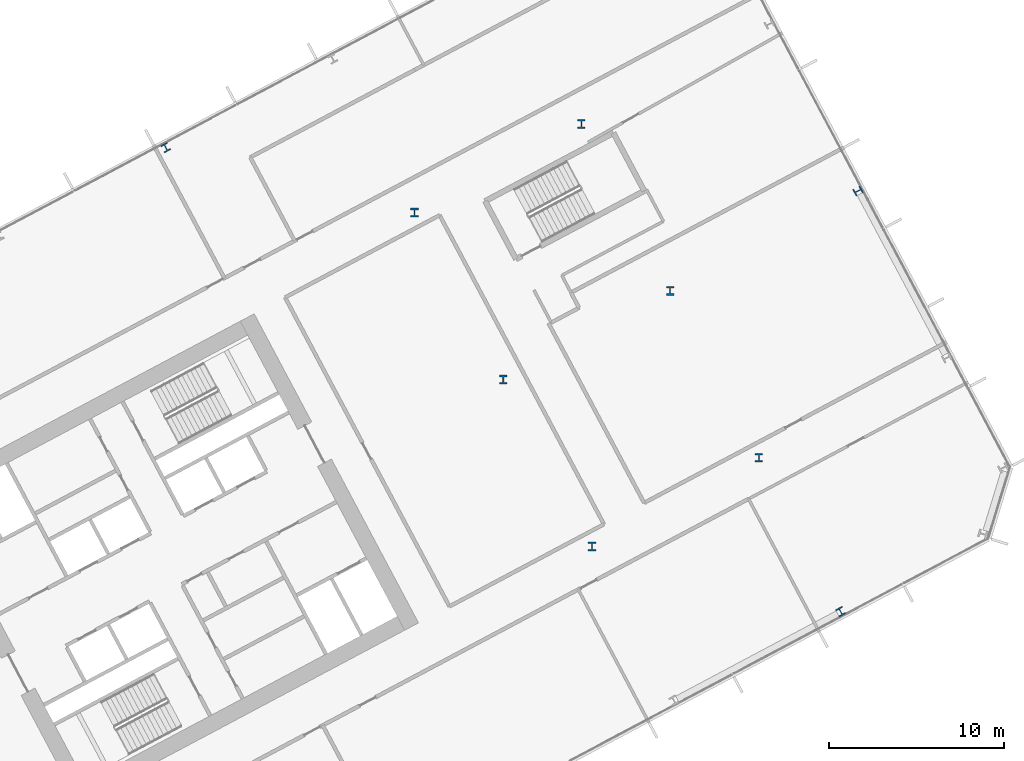
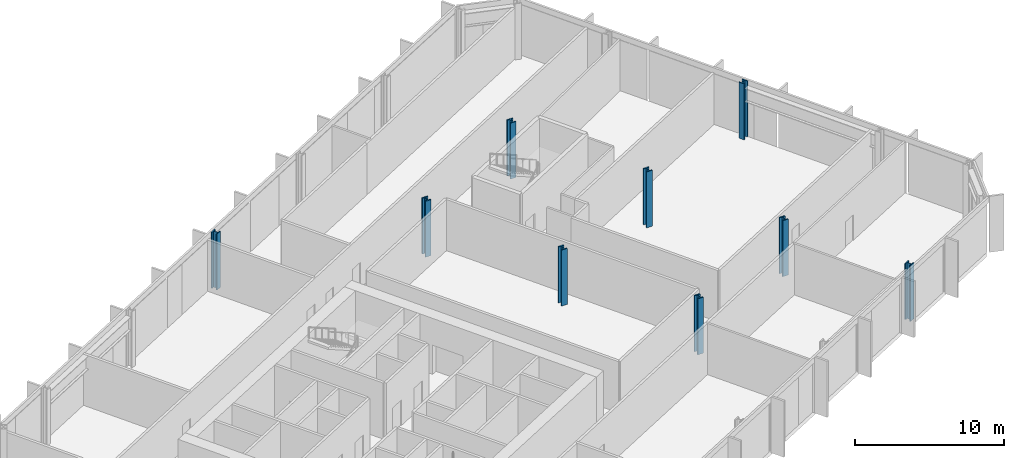
# One storey, part 4 of 31: 9 columns.
"""IFC4 building model written with IfcOpenShell, lengths in metres."""

from ifc_helpers import new_model, si_unit, direction, frame, origin, origin_2d, place, context, subcontext, project, spatial, i_section, extrude, material, material_profile, profile_set, type_object, element, save


model = new_model("IFC4")

# Units and contexts
model_context = context("Model", 3, precision=1e-05, world=origin(), true_north=direction((0.0, 1.0)))
body_context = subcontext(model_context, "Body", "Model", "MODEL_VIEW")
ifc_project = project(units=[si_unit("LENGTHUNIT", "METRE"), si_unit("AREAUNIT", "SQUARE_METRE"), si_unit("VOLUMEUNIT", "CUBIC_METRE"), si_unit("PLANEANGLEUNIT", "RADIAN"), si_unit("MASSUNIT", "GRAM", prefix="KILO")], contexts=[model_context])

# Site, building, storey
site_placement = place(None, origin())
site = spatial("IfcSite", under=ifc_project, at=site_placement, CompositionType="ELEMENT")
building_placement = place(site_placement, origin())
building = spatial("IfcBuilding", under=site, at=building_placement, Name="Cormorant Relay Tower", CompositionType="ELEMENT")
storey_placement = place(building_placement, frame((0.0, 0.0, 103.0)))
storey = spatial("IfcBuildingStorey", under=building, at=storey_placement, Name="L20", CompositionType="ELEMENT", Elevation=103.0)

# Columns
ifc_material_1 = material(Name="Steel ASTM A992 (Fy 345 MPa)", Category="steel")
ifc_material_profile_1 = material_profile(ifc_material_1, i_section(OverallWidth=0.42431640625, OverallDepth=0.47509765625, WebThickness=0.0478515625, FlangeThickness=0.0771484375, FilletRadius=0.014892578125, at=origin_2d()), Name="W360x634")
ifc_profile_set_1 = profile_set([ifc_material_profile_1], Name="Steel ASTM A992 (Fy 345 MPa)")
column_type_1 = type_object("IfcColumnType", Name="Column W360x634", PredefinedType="COLUMN", material=ifc_profile_set_1)
for number, where, z_axis, x_axis, name in (
    (1, (62.3701171875, 9.65087890625, 0.0), (0.0, 0.0, 1.0), (0.882947592859, 0.469471562786, 0.0), "Column L20-020"),
    (2, (63.360107421875, 33.68896484375, 0.0), (0.0, 0.0, 1.0), (-0.469471562786, 0.882947592859, 0.0), "Column L20-042"),
    (3, (23.805908203125, 36.169921875, 0.0), (0.0, 0.0, 1.0), (-0.882947592859, -0.469471562786, 0.0), "Column L20-044"),
):
    element("IfcColumn", number, at=place(storey_placement, frame(where, z_axis=z_axis, x_axis=x_axis)), inside=storey, type_object=column_type_1, Name=name, PredefinedType="COLUMN", context=body_context, shape_type="SweptSolid", body=[
        extrude(i_section(OverallWidth=0.42431640625, OverallDepth=0.47509765625, WebThickness=0.0478515625, FlangeThickness=0.0771484375, FilletRadius=0.014892578125, at=origin_2d()), origin(), (0.0, 0.0, 1.0), 4.60009765625),
    ])
ifc_material_2 = material(Name="Steel ASTM A992 (Fy 345 MPa)", Category="steel")
ifc_material_profile_2 = material_profile(ifc_material_2, i_section(OverallWidth=0.43701171875, OverallDepth=0.51318359375, WebThickness=0.060546875, FlangeThickness=0.096923828125, FilletRadius=0.015380859375, at=origin_2d()), Name="W360x818")
ifc_profile_set_2 = profile_set([ifc_material_profile_2], Name="Steel ASTM A992 (Fy 345 MPa)")
column_type_2 = type_object("IfcColumnType", Name="Column W360x818", PredefinedType="COLUMN", material=ifc_profile_set_2)
for number, where, z_axis, x_axis, name in (
    (4, (48.157958984375, 13.3740234375, 0.0), (0.0, 0.0, 1.0), (1.0, 0.0, 0.0), "Column L20-025"),
    (5, (57.694091796875, 18.445068359375, 0.0), (0.0, 0.0, 1.0), (1.0, 0.0, 0.0), "Column L20-029"),
    (6, (43.087890625, 22.909912109375, 0.0), (0.0, 0.0, 1.0), (1.0, 0.0, 0.0), "Column L20-031"),
    (7, (52.6240234375, 27.98095703125, 0.0), (0.0, 0.0, 1.0), (1.0, 0.0, 0.0), "Column L20-037"),
    (8, (38.01806640625, 32.446044921875, 0.0), (0.0, 0.0, 1.0), (1.0, 0.0, 0.0), "Column L20-040"),
    (9, (47.552978515625, 37.51611328125, 0.0), (0.0, 0.0, 1.0), (1.0, 0.0, 0.0), "Column L20-045"),
):
    element("IfcColumn", number, at=place(storey_placement, frame(where, z_axis=z_axis, x_axis=x_axis)), inside=storey, type_object=column_type_2, Name=name, PredefinedType="COLUMN", context=body_context, shape_type="SweptSolid", body=[
        extrude(i_section(OverallWidth=0.43701171875, OverallDepth=0.51318359375, WebThickness=0.060546875, FlangeThickness=0.096923828125, FilletRadius=0.015380859375, at=origin_2d()), origin(), (0.0, 0.0, 1.0), 4.60009765625),
    ])

save(model, "model.ifc")
